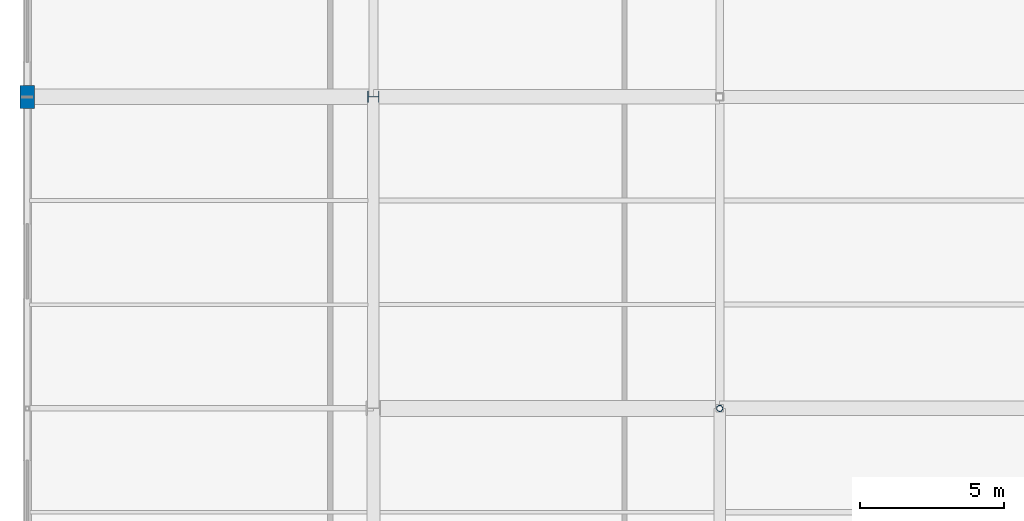
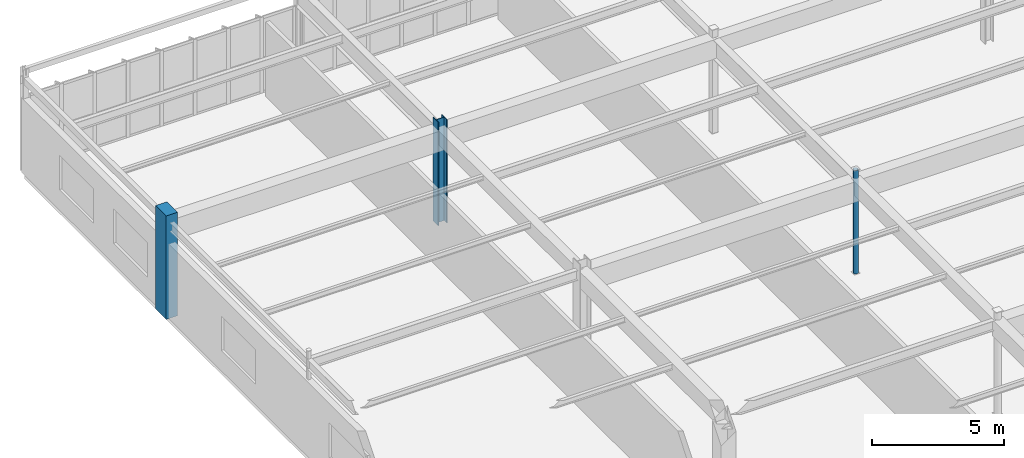
# One storey, part 23 of 226: 3 columns.
"""IFC4 building model written with IfcOpenShell, lengths in metres."""

from ifc_helpers import new_model, si_unit, direction, frame, origin, origin_2d, place, context, subcontext, project, spatial, rectangle, hollow_circle, i_section, extrude, material, material_profile, profile_set, type_object, element, save


model = new_model("IFC4")

# Units and contexts
model_context = context("Model", 3, precision=1e-05, world=origin(), true_north=direction((0.0, 1.0)))
body_context = subcontext(model_context, "Body", "Model", "MODEL_VIEW")
ifc_project = project(units=[si_unit("LENGTHUNIT", "METRE"), si_unit("AREAUNIT", "SQUARE_METRE"), si_unit("VOLUMEUNIT", "CUBIC_METRE"), si_unit("PLANEANGLEUNIT", "RADIAN"), si_unit("MASSUNIT", "GRAM", prefix="KILO")], contexts=[model_context])

# Site, building, storey
site_placement = place(None, origin())
site = spatial("IfcSite", under=ifc_project, at=site_placement, CompositionType="ELEMENT")
building_placement = place(site_placement, origin())
building = spatial("IfcBuilding", under=site, at=building_placement, Name="Tarnwether General Hospital", CompositionType="ELEMENT")
storey_placement = place(building_placement, frame((0.0, 0.0, 4.800048828125)))
storey = spatial("IfcBuildingStorey", under=building, at=storey_placement, Name="L01", CompositionType="ELEMENT", Elevation=4.800048828125)

# Columns
ifc_material_1 = material(Name="Steel Grade 350 (350 MPa)", Category="steel")
ifc_material_profile_1 = material_profile(ifc_material_1, i_section(OverallWidth=0.39990234375, OverallDepth=0.39990234375, WebThickness=0.02001953125, FlangeThickness=0.028076171875, at=origin_2d()), Name="400WC270")
ifc_profile_set_1 = profile_set([ifc_material_profile_1], Name="Steel Grade 350 (350 MPa)")
column_type_1 = type_object("IfcColumnType", Name="COL-02", PredefinedType="COLUMN", material=ifc_profile_set_1)
column_1_placement = place(storey_placement, frame((12.0, 115.199951171875, 0.0), z_axis=(0.0, 0.0, 1.0), x_axis=(0.0, 1.0, 0.0)))
element("IfcColumn", 1, at=column_1_placement, inside=storey, type_object=column_type_1, Name="Column COLG-L01-1200_11520", PredefinedType="COLUMN", context=body_context, shape_type="SweptSolid", body=[
    extrude(i_section(OverallWidth=0.39990234375, OverallDepth=0.39990234375, WebThickness=0.02001953125, FlangeThickness=0.028076171875, at=origin_2d()), origin(), (0.0, 0.0, 1.0), 4.800048828125),
])
ifc_material_2 = material(Name="Steel Grade C350L0 (350 MPa)", Category="steel")
ifc_material_profile_2 = material_profile(ifc_material_2, hollow_circle(Radius=0.109619140625, WallThickness=0.010009765625, at=origin_2d()), Name="CHS219.1x10.0")
ifc_profile_set_2 = profile_set([ifc_material_profile_2], Name="Steel Grade C350L0 (350 MPa)")
column_type_2 = type_object("IfcColumnType", Name="COL-13", PredefinedType="COLUMN", material=ifc_profile_set_2)
column_2_placement = place(storey_placement, frame((24.0, 104.39990234375, 0.0), z_axis=(0.0, 0.0, 1.0), x_axis=(1.0, 0.0, 0.0)))
element("IfcColumn", 2, at=column_2_placement, inside=storey, type_object=column_type_2, Name="Column COLG-L01-2400_10440", PredefinedType="COLUMN", context=body_context, shape_type="SweptSolid", body=[
    extrude(hollow_circle(Radius=0.109619140625, WallThickness=0.010009765625, at=origin_2d()), origin(), (0.0, 0.0, 1.0), 4.800048828125),
])
ifc_material_3 = material(Name="Concrete 50 MPa", Category="concrete")
ifc_material_profile_3 = material_profile(ifc_material_3, rectangle(XDim=0.5, YDim=0.800048828125, at=origin_2d()), Name="RC-PIL-500x800")
ifc_profile_set_3 = profile_set([ifc_material_profile_3], Name="Concrete 50 MPa")
column_type_3 = type_object("IfcColumnType", Name="COL-23", PredefinedType="PILASTER", material=ifc_profile_set_3)
column_3_placement = place(storey_placement, frame((0.0, 115.199951171875, 0.0), z_axis=(0.0, 0.0, 1.0), x_axis=(1.0, 0.0, 0.0)))
element("IfcColumn", 3, at=column_3_placement, inside=storey, type_object=column_type_3, Name="Column COLG-L01-0_11520", PredefinedType="PILASTER", context=body_context, shape_type="SweptSolid", body=[
    extrude(rectangle(XDim=0.5, YDim=0.800048828125, at=origin_2d()), origin(), (0.0, 0.0, 1.0), 4.800048828125),
])

save(model, "model.ifc")
